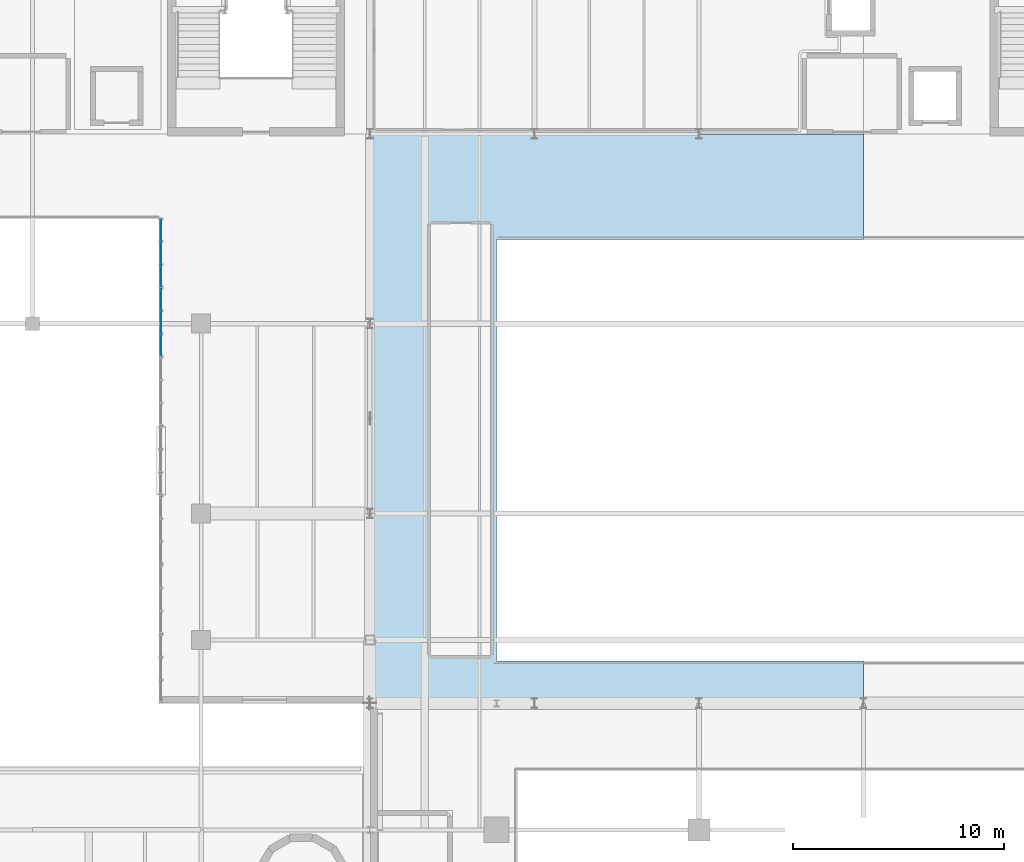
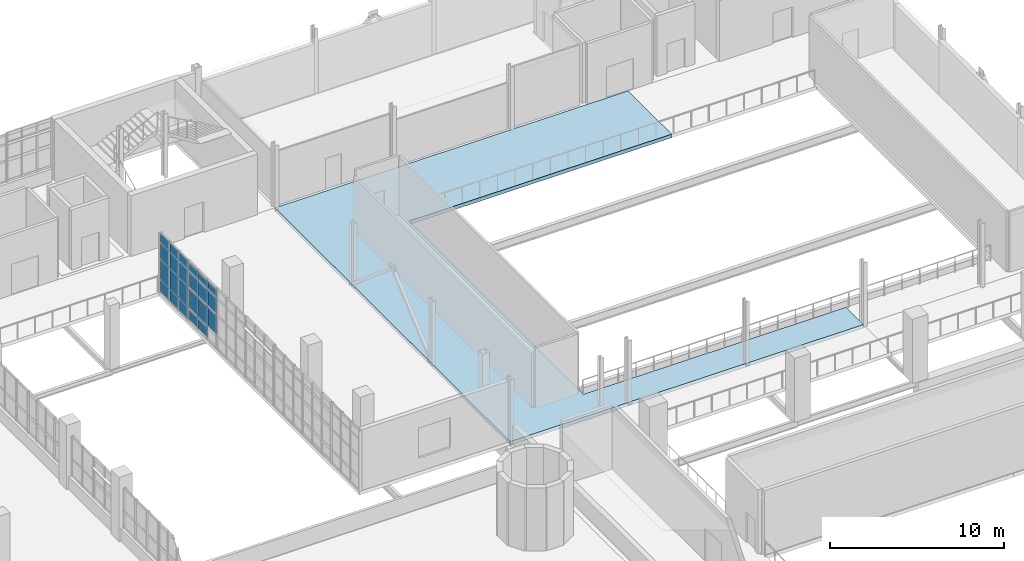
# One storey, part 55 of 85: 23 plates, 1 slab, 2 elements without a shape of their own.
"""IFC4 building model written with IfcOpenShell, lengths in metres."""

import ifcopenshell
import ifcopenshell.guid

model = None  # the IFC model being written
_history = None  # IfcOwnerHistory: only IFC2X3 demands one
_inside = {}  # id of a spatial element -> (the spatial element, [elements in it])
_under = {}  # id of a project, library or spatial element -> (it, [spatial elements below it])
_declared = {}  # id of a project -> (the project, [libraries it declares])
_typed = {}  # id of a type object -> (the type object, [elements of that type])
_made_of = {}  # id of a material, layer set ... -> (it, [elements and type objects made of it])


def new_model(schema):
    """Start an empty IFC model of exactly this schema.

    Asked for "IFC4X3", IfcOpenShell would pick the latest addendum, in which some entities
    have other attributes; the version numbers below select the first issue.
    IFC2X3 requires an IfcOwnerHistory on every rooted entity: one is made here for all.
    """
    global model, _history
    if schema == "IFC4X3":
        model = ifcopenshell.file(schema_version=(4, 3, 0, 0))
    else:
        model = ifcopenshell.file(schema=schema)
    _inside.clear()
    _under.clear()
    _declared.clear()
    _typed.clear()
    _made_of.clear()
    _history = None
    if model.schema == "IFC2X3":
        org = make("IfcOrganization", Name="unknown")
        user = make(
            "IfcPersonAndOrganization",
            ThePerson=make("IfcPerson", FamilyName="unknown"),
            TheOrganization=org,
        )
        app = make(
            "IfcApplication",
            ApplicationDeveloper=org,
            Version="unknown",
            ApplicationFullName="unknown",
            ApplicationIdentifier="unknown",
        )
        _history = make(
            "IfcOwnerHistory",
            OwningUser=user,
            OwningApplication=app,
            ChangeAction="ADDED",
            CreationDate=0,
        )
    return model


def make(cls, **values):
    """One entity of the class cls with the attributes given. An attribute that is None is left unset."""
    return model.create_entity(
        cls, **{name: value for name, value in values.items() if value is not None}
    )


def rooted(cls, **values):
    """An entity with a GlobalId (a new one), such as an element, a storey or a relation."""
    return make(cls, GlobalId=ifcopenshell.guid.new(), OwnerHistory=_history, **values)


def si_unit(unit_type, name, prefix=None):
    """IfcSIUnit, for example si_unit("LENGTHUNIT", "METRE", prefix="MILLI")."""
    return make("IfcSIUnit", UnitType=unit_type, Prefix=prefix, Name=name)


def derived_unit(unit_type, elements):
    """IfcDerivedUnit: a product of units, each with its exponent."""
    return make(
        "IfcDerivedUnit",
        Elements=[
            make("IfcDerivedUnitElement", Unit=unit, Exponent=power)
            for unit, power in elements
        ],
        UnitType=unit_type,
    )


def assignment(units):
    """IfcUnitAssignment: the units of a project."""
    return None if units is None else make("IfcUnitAssignment", Units=units)


def point(xyz):
    """IfcCartesianPoint."""
    return None if xyz is None else make("IfcCartesianPoint", Coordinates=xyz)


def direction(xyz):
    """IfcDirection."""
    return None if xyz is None else make("IfcDirection", DirectionRatios=xyz)


def frame(location, z_axis=None, x_axis=None):
    """IfcAxis2Placement3D, a coordinate frame: its origin and axes. An axis left out is left unset."""
    return make(
        "IfcAxis2Placement3D",
        Location=point(location),
        Axis=direction(z_axis),
        RefDirection=direction(x_axis),
    )


def frame_2d(location, x_axis=None):
    """IfcAxis2Placement2D, a coordinate frame in the plane: its origin and x axis."""
    return make(
        "IfcAxis2Placement2D", Location=point(location), RefDirection=direction(x_axis)
    )


def origin():
    """The frame at (0, 0, 0) with its axes left unset."""
    return frame((0.0, 0.0, 0.0))


def origin_2d():
    """The frame at (0, 0) in the plane with its x axis left unset."""
    return frame_2d((0.0, 0.0))


def place(relative_to, where):
    """IfcLocalPlacement: puts the frame where relative to a parent placement (None: the world)."""
    return make(
        "IfcLocalPlacement", PlacementRelTo=relative_to, RelativePlacement=where
    )


def context(
    kind, dimensions, precision=None, world=None, true_north=None, identifier=None
):
    """IfcGeometricRepresentationContext, for example the 3D "Model" context."""
    return make(
        "IfcGeometricRepresentationContext",
        ContextIdentifier=identifier,
        ContextType=kind,
        CoordinateSpaceDimension=dimensions,
        Precision=precision,
        WorldCoordinateSystem=world,
        TrueNorth=true_north,
    )


def subcontext(parent, identifier, kind, view, scale=None):
    """IfcGeometricRepresentationSubContext, for example "Body" below "Model"."""
    return make(
        "IfcGeometricRepresentationSubContext",
        ContextIdentifier=identifier,
        ContextType=kind,
        ParentContext=parent,
        TargetScale=scale,
        TargetView=view,
    )


def project(units=None, contexts=None):
    """IfcProject with its units and contexts."""
    return rooted(
        "IfcProject",
        Name="project",
        RepresentationContexts=contexts,
        UnitsInContext=assignment(units),
    )


def spatial(cls, under=None, at=None, **own):
    """A site, building, storey or space (cls), placed at a placement, below another one or the project."""
    s = rooted(cls, ObjectPlacement=at, **own)
    if under is not None:
        _under.setdefault(under.id(), (under, []))[1].append(s)
    return s


def polyline(points):
    """IfcPolyline through the points."""
    return make("IfcPolyline", Points=[point(p) for p in points])


def profile(cls, at=None, kind="AREA", **sizes):
    """A parametric profile (cls). Its sizes go by their IFC names, for example OverallWidth=200.0."""
    return make(cls, ProfileType=kind, Position=at, **sizes)


def rectangle(**sizes):
    """IfcRectangleProfileDef."""
    return profile("IfcRectangleProfileDef", **sizes)


def outline(outer, holes=None, kind="AREA"):
    """IfcArbitraryClosedProfileDef: a profile drawn as a closed curve; with holes, ...WithVoids."""
    if holes is None:
        return make("IfcArbitraryClosedProfileDef", ProfileType=kind, OuterCurve=outer)
    return make(
        "IfcArbitraryProfileDefWithVoids",
        ProfileType=kind,
        OuterCurve=outer,
        InnerCurves=holes,
    )


def extrude(swept, where, along, depth):
    """IfcExtrudedAreaSolid: the profile swept, set in the frame where, extruded along a direction by depth."""
    return make(
        "IfcExtrudedAreaSolid",
        SweptArea=swept,
        Position=where,
        ExtrudedDirection=direction(along),
        Depth=depth,
    )


def shape(context_of_items, identifier, shape_type, items):
    """IfcShapeRepresentation: the items that make up one representation, for example the "Body"."""
    return make(
        "IfcShapeRepresentation",
        ContextOfItems=context_of_items,
        RepresentationIdentifier=identifier,
        RepresentationType=shape_type,
        Items=items,
    )


def material(Name=None, Category=None):
    """IfcMaterial."""
    return make("IfcMaterial", Name=Name, Category=Category)


def layer(
    of_material, thickness, ventilated=None, Name=None, Category=None, Priority=None
):
    """IfcMaterialLayer: one layer of a wall or slab, of a material (None: an air gap)."""
    return make(
        "IfcMaterialLayer",
        Material=of_material,
        LayerThickness=thickness,
        IsVentilated=ventilated,
        Name=Name,
        Category=Category,
        Priority=Priority,
    )


def layer_set(layers, Name=None):
    """IfcMaterialLayerSet."""
    return make("IfcMaterialLayerSet", MaterialLayers=layers, LayerSetName=Name)


def made_of(thing, what):
    """Note that an element or type object is made of a material, layer set ...; save() writes the relation."""
    if what is not None:
        _made_of.setdefault(what.id(), (what, []))[1].append(thing)
    return thing


def type_object(cls, material=None, **own):
    """A type object (cls), such as IfcWallType, which elements share."""
    return made_of(rooted(cls, **own), material)


def element(
    cls,
    number,
    at=None,
    inside=None,
    cuts=None,
    type_object=None,
    material=None,
    context=None,
    identifier="Body",
    shape_type=None,
    held_by="IfcProductDefinitionShape",
    body=None,
    shapes=None,
    **own,
):
    """One element of the class cls, such as IfcWall. Its Tag is "e" and its number.

    at: its placement. inside: the storey or other place that contains it. cuts: it is an
    opening in that element (IfcRelVoidsElement). A single representation is given by context,
    identifier, shape_type and body (its items); several are given by shapes. held_by: the class
    of the entity that holds the representations. save() writes the other relations.
    """
    e = rooted(cls, Tag="e%d" % number, ObjectPlacement=at, **own)
    if body is not None:
        shapes = [shape(context, identifier, shape_type, body)]
    if shapes is not None:
        e.Representation = make(held_by, Representations=shapes)
    if inside is not None:
        _inside.setdefault(inside.id(), (inside, []))[1].append(e)
    if cuts is not None:
        rooted(
            "IfcRelVoidsElement", RelatingBuildingElement=cuts, RelatedOpeningElement=e
        )
    if type_object is not None:
        _typed.setdefault(type_object.id(), (type_object, []))[1].append(e)
    return made_of(e, material)


def aggregate(whole, parts):
    """IfcRelAggregates: a whole, such as a stair, and the parts it consists of."""
    return rooted("IfcRelAggregates", RelatingObject=whole, RelatedObjects=parts)


def save(model, path):
    """Write the relations noted so far, then the file.

    IfcRelAggregates (storeys below a building ...), IfcRelContainedInSpatialStructure (elements
    in a storey), IfcRelDefinesByType, IfcRelAssociatesMaterial and IfcRelDeclares: one each for
    every whole, place, type object, material and project.
    """
    for whole, parts in _under.values():
        aggregate(whole, parts)
    for where, things in _inside.values():
        rooted(
            "IfcRelContainedInSpatialStructure",
            RelatedElements=things,
            RelatingStructure=where,
        )
    for kind, things in _typed.values():
        rooted("IfcRelDefinesByType", RelatedObjects=things, RelatingType=kind)
    for what, things in _made_of.values():
        rooted("IfcRelAssociatesMaterial", RelatedObjects=things, RelatingMaterial=what)
    for by, libraries in _declared.values():
        rooted("IfcRelDeclares", RelatingContext=by, RelatedDefinitions=libraries)
    model.write(path)


model = new_model("IFC4")

# Units and contexts
model_context = context("Model", 3, precision=1e-05, world=origin(), true_north=direction((0.0, 1.0)))
body_context = subcontext(model_context, "Body", "Model", "MODEL_VIEW")
ifc_project = project(units=[si_unit("LENGTHUNIT", "METRE"), si_unit("AREAUNIT", "SQUARE_METRE"), si_unit("VOLUMEUNIT", "CUBIC_METRE"), si_unit("PLANEANGLEUNIT", "RADIAN"), si_unit("MASSUNIT", "GRAM", prefix="KILO"), derived_unit("THERMALTRANSMITTANCEUNIT", [(si_unit("POWERUNIT", "WATT"), 1), (si_unit("LENGTHUNIT", "METRE"), -2), (si_unit("THERMODYNAMICTEMPERATUREUNIT", "KELVIN"), -1)])], contexts=[model_context])

# Site, building, storey
site_placement = place(None, origin())
site = spatial("IfcSite", under=ifc_project, at=site_placement, CompositionType="ELEMENT")
building_placement = place(site_placement, origin())
building = spatial("IfcBuilding", under=site, at=building_placement, Name="Nallur Shell Playhouse", CompositionType="ELEMENT")
storey_placement = place(building_placement, frame((0.0, 0.0, 19.800048828125)))
storey = spatial("IfcBuildingStorey", under=building, at=storey_placement, Name="L05", CompositionType="ELEMENT", Elevation=19.800048828125)

# Curtain wall, plates
ifc_material_1 = material(Name="Anodised Aluminium Double-Glazed Facade System", Category="aluminium")
ifc_layer_1 = layer(ifc_material_1, 0.176025390625)
ifc_layer_set_1 = layer_set([ifc_layer_1], Name="Anodised Aluminium Double-Glazed Facade System")
curtain_wall_type_1 = type_object("IfcCurtainWallType", Name="CW-UNIT-10", PredefinedType="NOTDEFINED", material=ifc_layer_set_1)
curtain_wall_1_placement = place(storey_placement, origin())
curtain_wall_1 = element("IfcCurtainWall", 1, at=curtain_wall_1_placement, inside=storey, type_object=curtain_wall_type_1, Name="Unitised curtain wall CW-170 (L05)", PredefinedType="NOTDEFINED")
ifc_material_2 = material(Name="Solar-Control Low-E Laminated Insulating Glass", Category="glass")
ifc_layer_2 = layer(ifc_material_2, 0.028076171875)
ifc_layer_set_2 = layer_set([ifc_layer_2], Name="Solar-Control Low-E Laminated Insulating Glass")
plate_type_1 = type_object("IfcPlateType", Name="PT-GLZ-02", PredefinedType="CURTAIN_PANEL", material=ifc_layer_set_2)
plate_1_placement = place(storey_placement, frame((54.090087890625, 63.99951171875, 0.94189453125), z_axis=(0.0, 0.0, 1.0), x_axis=(0.0, 1.0, 0.0)))
plate_1 = element("IfcPlate", 2, at=plate_1_placement, type_object=plate_type_1, Name="CW-10 panel 1.2", PredefinedType="CURTAIN_PANEL", context=body_context, shape_type="SweptSolid", body=[
    extrude(rectangle(XDim=0.98779296875, YDim=0.028076171875, at=origin_2d()), origin(), (0.0, 0.0, 1.0), 1.3740234375),
])
plate_2_placement = place(storey_placement, frame((54.090087890625, 63.99951171875, 2.39990234375), z_axis=(0.0, 0.0, 1.0), x_axis=(0.0, 1.0, 0.0)))
plate_2 = element("IfcPlate", 3, at=plate_2_placement, type_object=plate_type_1, Name="CW-10 panel 1.3", PredefinedType="CURTAIN_PANEL", context=body_context, shape_type="SweptSolid", body=[
    extrude(rectangle(XDim=0.98779296875, YDim=0.028076171875, at=origin_2d()), origin(), (0.0, 0.0, 1.0), 1.087890625),
])
plate_3_placement = place(storey_placement, frame((54.090087890625, 63.99951171875, 3.572021484375), z_axis=(0.0, 0.0, 1.0), x_axis=(0.0, 1.0, 0.0)))
plate_3 = element("IfcPlate", 4, at=plate_3_placement, type_object=plate_type_1, Name="CW-10 panel 1.4", PredefinedType="CURTAIN_PANEL", context=body_context, shape_type="SweptSolid", body=[
    extrude(rectangle(XDim=0.98779296875, YDim=0.028076171875, at=origin_2d()), origin(), (0.0, 0.0, 1.0), 0.5458984375),
])
plate_4_placement = place(storey_placement, frame((54.090087890625, 65.071533203125, 0.091796875), z_axis=(0.0, 0.0, 1.0), x_axis=(0.0, 1.0, 0.0)))
plate_4 = element("IfcPlate", 5, at=plate_4_placement, type_object=plate_type_1, Name="CW-10 panel 2.1", PredefinedType="CURTAIN_PANEL", context=body_context, shape_type="SweptSolid", body=[
    extrude(rectangle(XDim=1.02783203125, YDim=0.028076171875, at=origin_2d()), origin(), (0.0, 0.0, 1.0), 0.76611328125),
])
plate_5_placement = place(storey_placement, frame((54.090087890625, 65.071533203125, 0.94189453125), z_axis=(0.0, 0.0, 1.0), x_axis=(0.0, 1.0, 0.0)))
plate_5 = element("IfcPlate", 6, at=plate_5_placement, type_object=plate_type_1, Name="CW-10 panel 2.2", PredefinedType="CURTAIN_PANEL", context=body_context, shape_type="SweptSolid", body=[
    extrude(rectangle(XDim=1.02783203125, YDim=0.028076171875, at=origin_2d()), origin(), (0.0, 0.0, 1.0), 1.3740234375),
])
plate_6_placement = place(storey_placement, frame((54.090087890625, 65.071533203125, 2.39990234375), z_axis=(0.0, 0.0, 1.0), x_axis=(0.0, 1.0, 0.0)))
plate_6 = element("IfcPlate", 7, at=plate_6_placement, type_object=plate_type_1, Name="CW-10 panel 2.3", PredefinedType="CURTAIN_PANEL", context=body_context, shape_type="SweptSolid", body=[
    extrude(rectangle(XDim=1.02783203125, YDim=0.028076171875, at=origin_2d()), origin(), (0.0, 0.0, 1.0), 1.087890625),
])
plate_7_placement = place(storey_placement, frame((54.090087890625, 65.071533203125, 3.572021484375), z_axis=(0.0, 0.0, 1.0), x_axis=(0.0, 1.0, 0.0)))
plate_7 = element("IfcPlate", 8, at=plate_7_placement, type_object=plate_type_1, Name="CW-10 panel 2.4", PredefinedType="CURTAIN_PANEL", context=body_context, shape_type="SweptSolid", body=[
    extrude(rectangle(XDim=1.02783203125, YDim=0.028076171875, at=origin_2d()), origin(), (0.0, 0.0, 1.0), 0.5458984375),
])
plate_8_placement = place(storey_placement, frame((54.090087890625, 66.143310546875, 0.091796875), z_axis=(0.0, 0.0, 1.0), x_axis=(0.0, 1.0, 0.0)))
plate_8 = element("IfcPlate", 9, at=plate_8_placement, type_object=plate_type_1, Name="CW-10 panel 3.1", PredefinedType="CURTAIN_PANEL", context=body_context, shape_type="SweptSolid", body=[
    extrude(rectangle(XDim=0.98779296875, YDim=0.028076171875, at=origin_2d()), origin(), (0.0, 0.0, 1.0), 0.76611328125),
])
plate_9_placement = place(storey_placement, frame((54.090087890625, 66.143310546875, 0.94189453125), z_axis=(0.0, 0.0, 1.0), x_axis=(0.0, 1.0, 0.0)))
plate_9 = element("IfcPlate", 10, at=plate_9_placement, type_object=plate_type_1, Name="CW-10 panel 3.2", PredefinedType="CURTAIN_PANEL", context=body_context, shape_type="SweptSolid", body=[
    extrude(rectangle(XDim=0.98779296875, YDim=0.028076171875, at=origin_2d()), origin(), (0.0, 0.0, 1.0), 1.3740234375),
])
plate_10_placement = place(storey_placement, frame((54.090087890625, 66.143310546875, 2.39990234375), z_axis=(0.0, 0.0, 1.0), x_axis=(0.0, 1.0, 0.0)))
plate_10 = element("IfcPlate", 11, at=plate_10_placement, type_object=plate_type_1, Name="CW-10 panel 3.3", PredefinedType="CURTAIN_PANEL", context=body_context, shape_type="SweptSolid", body=[
    extrude(rectangle(XDim=0.98779296875, YDim=0.028076171875, at=origin_2d()), origin(), (0.0, 0.0, 1.0), 1.087890625),
])
plate_11_placement = place(storey_placement, frame((54.090087890625, 66.143310546875, 3.572021484375), z_axis=(0.0, 0.0, 1.0), x_axis=(0.0, 1.0, 0.0)))
plate_11 = element("IfcPlate", 12, at=plate_11_placement, type_object=plate_type_1, Name="CW-10 panel 3.4", PredefinedType="CURTAIN_PANEL", context=body_context, shape_type="SweptSolid", body=[
    extrude(rectangle(XDim=0.98779296875, YDim=0.028076171875, at=origin_2d()), origin(), (0.0, 0.0, 1.0), 0.5458984375),
])
aggregate(curtain_wall_1, [plate_1, plate_2, plate_3, plate_4, plate_5, plate_6, plate_7, plate_8, plate_9, plate_10, plate_11])

ifc_layer_3 = layer(ifc_material_1, 0.179931640625)
ifc_layer_set_3 = layer_set([ifc_layer_3], Name="Anodised Aluminium Double-Glazed Facade System")
curtain_wall_type_2 = type_object("IfcCurtainWallType", Name="CW-UNIT-11", PredefinedType="NOTDEFINED", material=ifc_layer_set_3)
curtain_wall_2_placement = place(storey_placement, origin())
curtain_wall_2 = element("IfcCurtainWall", 13, at=curtain_wall_2_placement, inside=storey, type_object=curtain_wall_type_2, Name="Unitised curtain wall CW-171 (L05)", PredefinedType="NOTDEFINED")
ifc_layer_4 = layer(ifc_material_2, 0.030029296875)
ifc_layer_set_4 = layer_set([ifc_layer_4], Name="Solar-Control Low-E Laminated Insulating Glass")
plate_type_2 = type_object("IfcPlateType", Name="PT-GLZ-03", PredefinedType="CURTAIN_PANEL", material=ifc_layer_set_4)
plate_12_placement = place(storey_placement, frame((54.090087890625, 67.284912109375, 0.05712890625), z_axis=(0.0, 0.0, 1.0), x_axis=(0.0, 1.0, 0.0)))
plate_12 = element("IfcPlate", 14, at=plate_12_placement, type_object=plate_type_2, Name="CW-11 panel 1.1", PredefinedType="CURTAIN_PANEL", context=body_context, shape_type="SweptSolid", body=[
    extrude(rectangle(XDim=0.9970703125, YDim=0.030029296875, at=origin_2d()), origin(), (0.0, 0.0, 1.0), 0.818603515625),
])
plate_13_placement = place(storey_placement, frame((54.090087890625, 67.284912109375, 0.924560546875), z_axis=(0.0, 0.0, 1.0), x_axis=(0.0, 1.0, 0.0)))
plate_13 = element("IfcPlate", 15, at=plate_13_placement, type_object=plate_type_2, Name="CW-11 panel 1.2", PredefinedType="CURTAIN_PANEL", context=body_context, shape_type="SweptSolid", body=[
    extrude(rectangle(XDim=0.9970703125, YDim=0.030029296875, at=origin_2d()), origin(), (0.0, 0.0, 1.0), 1.39697265625),
])
plate_14_placement = place(storey_placement, frame((54.090087890625, 67.284912109375, 2.37060546875), z_axis=(0.0, 0.0, 1.0), x_axis=(0.0, 1.0, 0.0)))
plate_14 = element("IfcPlate", 16, at=plate_14_placement, type_object=plate_type_2, Name="CW-11 panel 1.3", PredefinedType="CURTAIN_PANEL", context=body_context, shape_type="SweptSolid", body=[
    extrude(rectangle(XDim=0.9970703125, YDim=0.030029296875, at=origin_2d()), origin(), (0.0, 0.0, 1.0), 1.114990234375),
])
plate_15_placement = place(storey_placement, frame((54.090087890625, 67.284912109375, 3.53466796875), z_axis=(0.0, 0.0, 1.0), x_axis=(0.0, 1.0, 0.0)))
plate_15 = element("IfcPlate", 17, at=plate_15_placement, type_object=plate_type_2, Name="CW-11 panel 1.4", PredefinedType="CURTAIN_PANEL", context=body_context, shape_type="SweptSolid", body=[
    extrude(rectangle(XDim=0.9970703125, YDim=0.030029296875, at=origin_2d()), origin(), (0.0, 0.0, 1.0), 0.598388671875),
])
plate_16_placement = place(storey_placement, frame((54.090087890625, 68.359619140625, 0.05712890625), z_axis=(0.0, 0.0, 1.0), x_axis=(0.0, 1.0, 0.0)))
plate_16 = element("IfcPlate", 18, at=plate_16_placement, type_object=plate_type_2, Name="CW-11 panel 2.1", PredefinedType="CURTAIN_PANEL", context=body_context, shape_type="SweptSolid", body=[
    extrude(rectangle(XDim=1.03466796875, YDim=0.030029296875, at=origin_2d()), origin(), (0.0, 0.0, 1.0), 0.818603515625),
])
plate_17_placement = place(storey_placement, frame((54.090087890625, 68.359619140625, 0.924560546875), z_axis=(0.0, 0.0, 1.0), x_axis=(0.0, 1.0, 0.0)))
plate_17 = element("IfcPlate", 19, at=plate_17_placement, type_object=plate_type_2, Name="CW-11 panel 2.2", PredefinedType="CURTAIN_PANEL", context=body_context, shape_type="SweptSolid", body=[
    extrude(rectangle(XDim=1.03466796875, YDim=0.030029296875, at=origin_2d()), origin(), (0.0, 0.0, 1.0), 1.39697265625),
])
plate_18_placement = place(storey_placement, frame((54.090087890625, 68.359619140625, 2.37060546875), z_axis=(0.0, 0.0, 1.0), x_axis=(0.0, 1.0, 0.0)))
plate_18 = element("IfcPlate", 20, at=plate_18_placement, type_object=plate_type_2, Name="CW-11 panel 2.3", PredefinedType="CURTAIN_PANEL", context=body_context, shape_type="SweptSolid", body=[
    extrude(rectangle(XDim=1.03466796875, YDim=0.030029296875, at=origin_2d()), origin(), (0.0, 0.0, 1.0), 1.114990234375),
])
plate_19_placement = place(storey_placement, frame((54.090087890625, 68.359619140625, 3.53466796875), z_axis=(0.0, 0.0, 1.0), x_axis=(0.0, 1.0, 0.0)))
plate_19 = element("IfcPlate", 21, at=plate_19_placement, type_object=plate_type_2, Name="CW-11 panel 2.4", PredefinedType="CURTAIN_PANEL", context=body_context, shape_type="SweptSolid", body=[
    extrude(rectangle(XDim=1.03466796875, YDim=0.030029296875, at=origin_2d()), origin(), (0.0, 0.0, 1.0), 0.598388671875),
])
plate_20_placement = place(storey_placement, frame((54.090087890625, 69.4345703125, 0.05712890625), z_axis=(0.0, 0.0, 1.0), x_axis=(0.0, 1.0, 0.0)))
plate_20 = element("IfcPlate", 22, at=plate_20_placement, type_object=plate_type_2, Name="CW-11 panel 3.1", PredefinedType="CURTAIN_PANEL", context=body_context, shape_type="SweptSolid", body=[
    extrude(rectangle(XDim=0.9970703125, YDim=0.030029296875, at=origin_2d()), origin(), (0.0, 0.0, 1.0), 0.818603515625),
])
plate_21_placement = place(storey_placement, frame((54.090087890625, 69.4345703125, 0.924560546875), z_axis=(0.0, 0.0, 1.0), x_axis=(0.0, 1.0, 0.0)))
plate_21 = element("IfcPlate", 23, at=plate_21_placement, type_object=plate_type_2, Name="CW-11 panel 3.2", PredefinedType="CURTAIN_PANEL", context=body_context, shape_type="SweptSolid", body=[
    extrude(rectangle(XDim=0.9970703125, YDim=0.030029296875, at=origin_2d()), origin(), (0.0, 0.0, 1.0), 1.39697265625),
])
plate_22_placement = place(storey_placement, frame((54.090087890625, 69.4345703125, 2.37060546875), z_axis=(0.0, 0.0, 1.0), x_axis=(0.0, 1.0, 0.0)))
plate_22 = element("IfcPlate", 24, at=plate_22_placement, type_object=plate_type_2, Name="CW-11 panel 3.3", PredefinedType="CURTAIN_PANEL", context=body_context, shape_type="SweptSolid", body=[
    extrude(rectangle(XDim=0.9970703125, YDim=0.030029296875, at=origin_2d()), origin(), (0.0, 0.0, 1.0), 1.114990234375),
])
plate_23_placement = place(storey_placement, frame((54.090087890625, 69.4345703125, 3.53466796875), z_axis=(0.0, 0.0, 1.0), x_axis=(0.0, 1.0, 0.0)))
plate_23 = element("IfcPlate", 25, at=plate_23_placement, type_object=plate_type_2, Name="CW-11 panel 3.4", PredefinedType="CURTAIN_PANEL", context=body_context, shape_type="SweptSolid", body=[
    extrude(rectangle(XDim=0.9970703125, YDim=0.030029296875, at=origin_2d()), origin(), (0.0, 0.0, 1.0), 0.598388671875),
])
aggregate(curtain_wall_2, [plate_12, plate_13, plate_14, plate_15, plate_16, plate_17, plate_18, plate_19, plate_20, plate_21, plate_22, plate_23])

# Slab
ifc_material_3 = material(Name="Concrete M30", Category="concrete")
ifc_layer_5 = layer(ifc_material_3, 0.25)
ifc_layer_set_5 = layer_set([ifc_layer_5], Name="Concrete M30")
slab_type = type_object("IfcSlabType", Name="SL-UPPER-250", PredefinedType="FLOOR", material=ifc_layer_set_5)
slab_placement = place(storey_placement, frame((0.0, 0.0, -0.25)))
element("IfcSlab", 26, at=slab_placement, inside=storey, type_object=slab_type, Name="L05 structural floor slab panel 09", PredefinedType="FLOOR", context=body_context, shape_type="SweptSolid", body=[
    extrude(outline(polyline([(70.0, 69.0), (70.0, 49.0), (87.39990234375, 49.0), (87.39990234375, 47.0), (64.0, 47.0), (64.0, 74.0), (87.39990234375, 74.0), (87.39990234375, 69.0), (70.0, 69.0)])), origin(), (0.0, 0.0, 1.0), 0.25),
])

save(model, "model.ifc")
